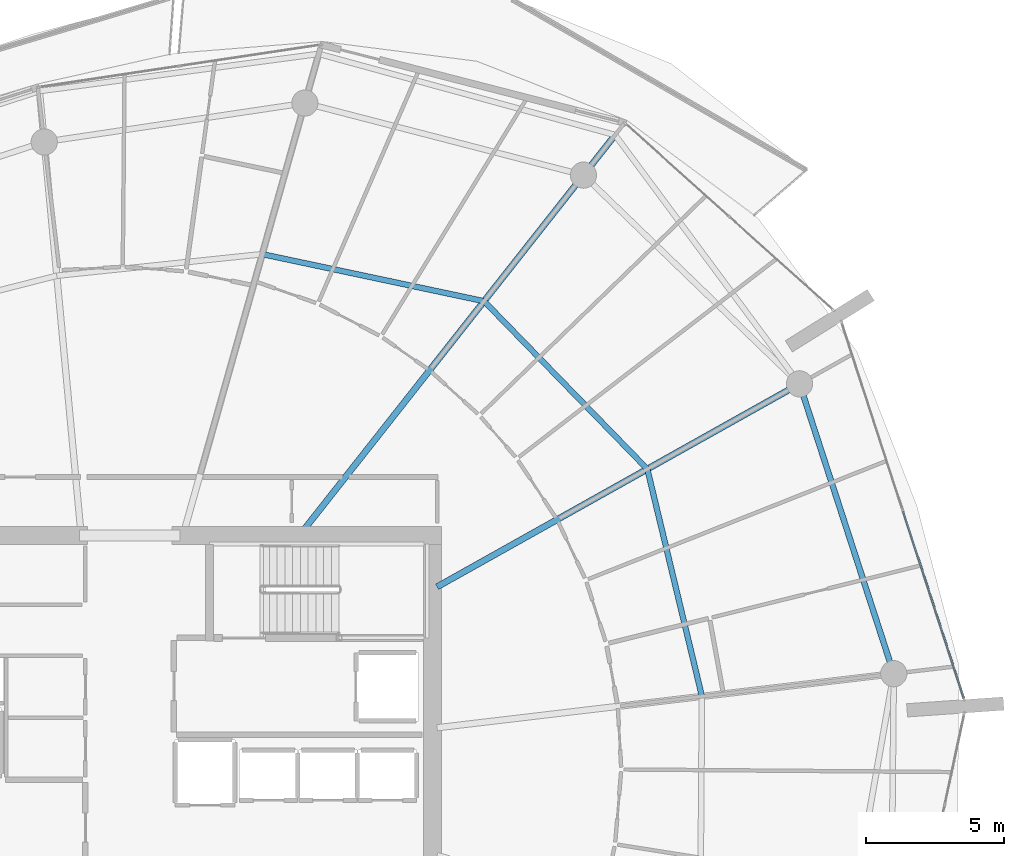
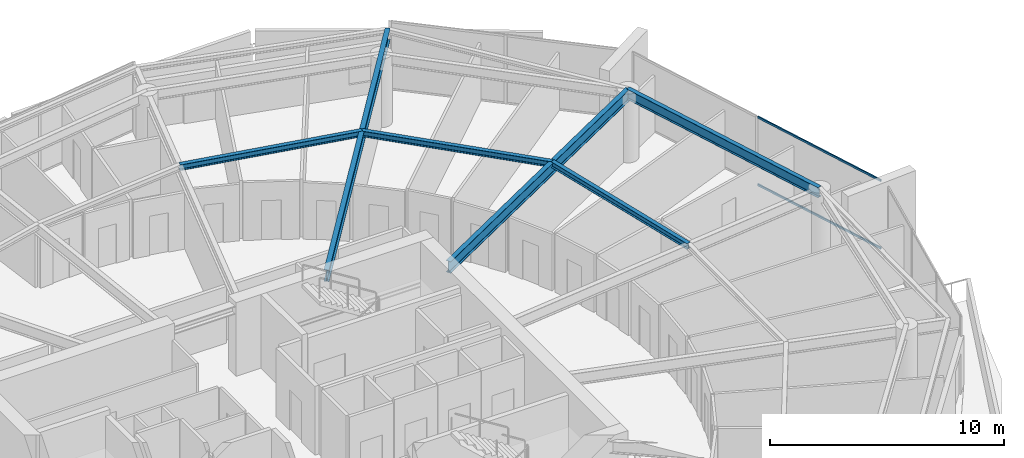
# One storey, part 14 of 31: 6 beams, 2 members, 1 element without a shape of its own.
"""IFC4 building model written with IfcOpenShell, lengths in metres."""

from ifc_helpers import new_model, si_unit, direction, frame, origin, origin_2d, place, context, subcontext, project, spatial, rectangle, i_section, extrude, material, layer, layer_set, material_profile, profile_set, type_object, element, aggregate, save


model = new_model("IFC4")

# Units and contexts
model_context = context("Model", 3, precision=1e-05, world=origin(), true_north=direction((0.0, 1.0)))
body_context = subcontext(model_context, "Body", "Model", "MODEL_VIEW")
ifc_project = project(units=[si_unit("LENGTHUNIT", "METRE"), si_unit("AREAUNIT", "SQUARE_METRE"), si_unit("VOLUMEUNIT", "CUBIC_METRE"), si_unit("PLANEANGLEUNIT", "RADIAN"), si_unit("MASSUNIT", "GRAM", prefix="KILO")], contexts=[model_context])

# Site, building, storey
site_placement = place(None, origin())
site = spatial("IfcSite", under=ifc_project, at=site_placement, CompositionType="ELEMENT")
building_placement = place(site_placement, origin())
building = spatial("IfcBuilding", under=site, at=building_placement, Name="Kazma Halo Residences", CompositionType="ELEMENT")
storey_placement = place(building_placement, frame((0.0, 0.0, 259.800048828125)))
storey = spatial("IfcBuildingStorey", under=building, at=storey_placement, Name="L65", CompositionType="ELEMENT", Elevation=259.800048828125)

# Beams
ifc_material_1 = material(Name="Steel S355", Category="steel")
ifc_material_profile_1 = material_profile(ifc_material_1, i_section(OverallWidth=0.22802734375, OverallDepth=0.60791015625, WebThickness=0.01123046875, FlangeThickness=0.017333984375, FilletRadius=0.01806640625, at=origin_2d()), Name="W610x113")
ifc_profile_set_1 = profile_set([ifc_material_profile_1], Name="Steel S355")
beam_type_1 = type_object("IfcBeamType", Name="BM-RAD-W610", PredefinedType="BEAM", material=ifc_profile_set_1)
beam_1_placement = place(storey_placement, frame((59.550048828125, 48.46826171875, 3.285888671875), z_axis=(0.872498817764, 0.488616222613, 0.0), x_axis=(-0.488616222613, 0.872498817764, 0.0)))
element("IfcBeam", 1, at=beam_1_placement, inside=storey, type_object=beam_type_1, Name="L65 radial floor beam 01", PredefinedType="BEAM", context=body_context, shape_type="SweptSolid", body=[
    extrude(i_section(OverallWidth=0.22802734375, OverallDepth=0.60791015625, WebThickness=0.01123046875, FlangeThickness=0.017333984375, FilletRadius=0.01806640625, at=origin_2d()), origin(), (0.0, 0.0, 1.0), 15.03759765625),
])
beam_2_placement = place(storey_placement, frame((54.700927734375, 50.5, 3.285888671875), z_axis=(0.6190864347, 0.785322854863, 0.0), x_axis=(-0.785322854863, 0.6190864347, 0.0)))
element("IfcBeam", 2, at=beam_2_placement, inside=storey, type_object=beam_type_1, Name="L65 radial floor beam 02", PredefinedType="BEAM", context=body_context, shape_type="SweptSolid", body=[
    extrude(i_section(OverallWidth=0.22802734375, OverallDepth=0.60791015625, WebThickness=0.01123046875, FlangeThickness=0.017333984375, FilletRadius=0.01806640625, at=origin_2d()), origin(), (0.0, 0.0, 1.0), 18.239013671875),
])
ifc_material_profile_2 = material_profile(ifc_material_1, i_section(OverallWidth=0.202880859375, OverallDepth=0.302978515625, WebThickness=0.007568359375, FlangeThickness=0.01318359375, FilletRadius=0.013916015625, at=origin_2d()), Name="W310x60")
ifc_profile_set_2 = profile_set([ifc_material_profile_2], Name="Steel S355")
beam_type_2 = type_object("IfcBeamType", Name="BM-SEC-W310A", PredefinedType="JOIST", material=ifc_profile_set_2)
beam_3_placement = place(storey_placement, frame((67.159912109375, 52.72998046875, 3.4384765625), z_axis=(-0.697145013687, 0.716930142964, 0.0), x_axis=(-0.716930142964, -0.697145013687, 0.0)))
element("IfcBeam", 3, at=beam_3_placement, inside=storey, type_object=beam_type_2, Name="L65 circumferential floor joist 01", PredefinedType="JOIST", context=body_context, shape_type="SweptSolid", body=[
    extrude(i_section(OverallWidth=0.202880859375, OverallDepth=0.302978515625, WebThickness=0.007568359375, FlangeThickness=0.01318359375, FilletRadius=0.013916015625, at=origin_2d()), origin(), (0.0, 0.0, 1.0), 8.477294921875),
])
beam_4_placement = place(storey_placement, frame((61.25, 58.8076171875, 3.4384765625), z_axis=(-0.978235588777, 0.207497308055, 0.0), x_axis=(-0.207497308055, -0.978235588777, 0.0)))
element("IfcBeam", 4, at=beam_4_placement, inside=storey, type_object=beam_type_2, Name="L65 circumferential floor joist 02", PredefinedType="JOIST", context=body_context, shape_type="SweptSolid", body=[
    extrude(i_section(OverallWidth=0.202880859375, OverallDepth=0.302978515625, WebThickness=0.007568359375, FlangeThickness=0.01318359375, FilletRadius=0.013916015625, at=origin_2d()), origin(), (0.0, 0.0, 1.0), 8.2080078125),
])
beam_5_placement = place(storey_placement, frame((69.13720703125, 44.501708984375, 3.4384765625), z_axis=(-0.23365336492, 0.97231996023, 0.0), x_axis=(-0.97231996023, -0.23365336492, 0.0)))
element("IfcBeam", 5, at=beam_5_placement, inside=storey, type_object=beam_type_2, Name="L65 circumferential floor joist 16", PredefinedType="JOIST", context=body_context, shape_type="SweptSolid", body=[
    extrude(i_section(OverallWidth=0.202880859375, OverallDepth=0.302978515625, WebThickness=0.007568359375, FlangeThickness=0.01318359375, FilletRadius=0.013916015625, at=origin_2d()), origin(), (0.0, 0.0, 1.0), 8.46240234375),
])
ifc_material_profile_3 = material_profile(ifc_material_1, i_section(OverallWidth=0.208984375, OverallDepth=0.532958984375, WebThickness=0.01025390625, FlangeThickness=0.015625, FilletRadius=0.01611328125, at=origin_2d()), Name="W530x92")
ifc_profile_set_3 = profile_set([ifc_material_profile_3], Name="Steel S355")
beam_type_3 = type_object("IfcBeamType", Name="BM-SPN-W530", PredefinedType="BEAM", material=ifc_profile_set_3)
beam_6_placement = place(storey_placement, frame((76.07958984375, 45.323486328125, 3.323486328125), z_axis=(-0.309015517474, 0.951056996168, 0.0), x_axis=(-0.951056996168, -0.309015517474, 0.0)))
element("IfcBeam", 6, at=beam_6_placement, inside=storey, type_object=beam_type_3, Name="L65 perimeter ring beam 16", PredefinedType="BEAM", context=body_context, shape_type="SweptSolid", body=[
    extrude(i_section(OverallWidth=0.208984375, OverallDepth=0.532958984375, WebThickness=0.01025390625, FlangeThickness=0.015625, FilletRadius=0.01611328125, at=origin_2d()), origin(), (0.0, 0.0, 1.0), 11.032470703125),
])

# Curtain wall, members
ifc_material_2 = material(Name="Aluminium AW-6063 T6 and Triple-Silver Low-E Glass", Category="aluminium")
ifc_layer = layer(ifc_material_2, 0.139892578125)
ifc_layer_set = layer_set([ifc_layer], Name="Aluminium AW-6063 T6 and Triple-Silver Low-E Glass")
curtain_wall_type = type_object("IfcCurtainWallType", Name="CW-SYS-5", PredefinedType="NOTDEFINED", material=ifc_layer_set)
curtain_wall_placement = place(storey_placement, origin())
curtain_wall = element("IfcCurtainWall", 7, at=curtain_wall_placement, inside=storey, type_object=curtain_wall_type, Name="L65 unitised curtain wall B16", PredefinedType="NOTDEFINED")
ifc_material_3 = material(Name="Aluminium AW-6063 T6", Category="aluminium")
ifc_material_profile_4 = material_profile(ifc_material_3, rectangle(XDim=0.06005859375, YDim=0.10498046875, at=origin_2d()), Name="CWT-60x105")
ifc_profile_set_4 = profile_set([ifc_material_profile_4], Name="Aluminium AW-6063 T6")
member_type = type_object("IfcMemberType", Name="CW-SYS-5-TRN", PredefinedType="USERDEFINED", material=ifc_profile_set_4)
member_1_placement = place(storey_placement, frame((78.613525390625, 44.44091796875, 0.030029296875), z_axis=(-0.308995987448, 0.951063341603, 0.0), x_axis=(-0.951063341603, -0.308995987448, 0.0)))
member_1 = element("IfcMember", 8, at=member_1_placement, type_object=member_type, Name="CWS-5 transom 1.1", ObjectType="TRANSOM", PredefinedType="USERDEFINED", context=body_context, shape_type="SweptSolid", body=[
    extrude(rectangle(XDim=0.06005859375, YDim=0.10498046875, at=origin_2d()), origin(), (0.0, 0.0, 1.0), 7.108642578125),
])
member_2_placement = place(storey_placement, frame((78.613525390625, 44.44091796875, 3.56005859375), z_axis=(-0.308995987448, 0.951063341603, 0.0), x_axis=(-0.951063341603, -0.308995987448, 0.0)))
member_2 = element("IfcMember", 9, at=member_2_placement, type_object=member_type, Name="CWS-5 transom 1.2", ObjectType="TRANSOM", PredefinedType="USERDEFINED", context=body_context, shape_type="SweptSolid", body=[
    extrude(rectangle(XDim=0.06005859375, YDim=0.10498046875, at=origin_2d()), origin(), (0.0, 0.0, 1.0), 7.108642578125),
])
aggregate(curtain_wall, [member_1, member_2])

save(model, "model.ifc")
